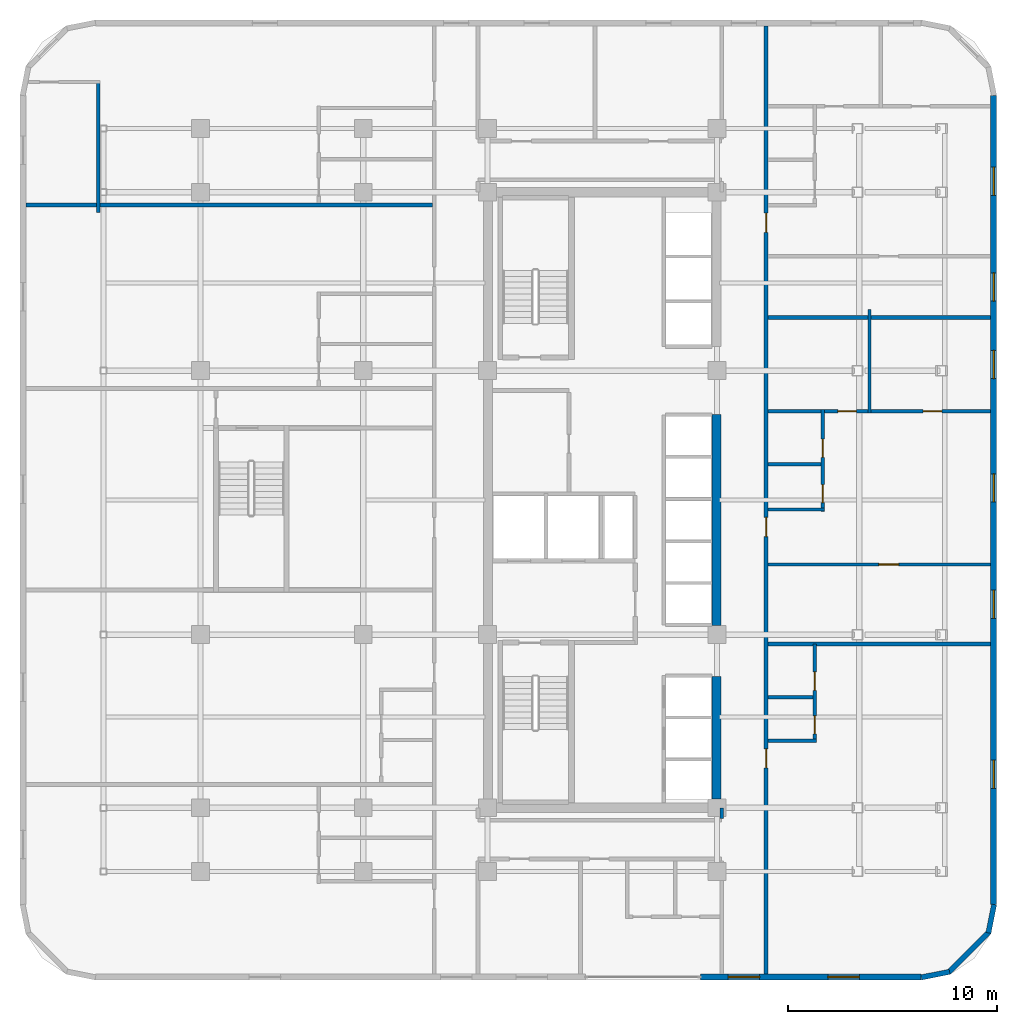
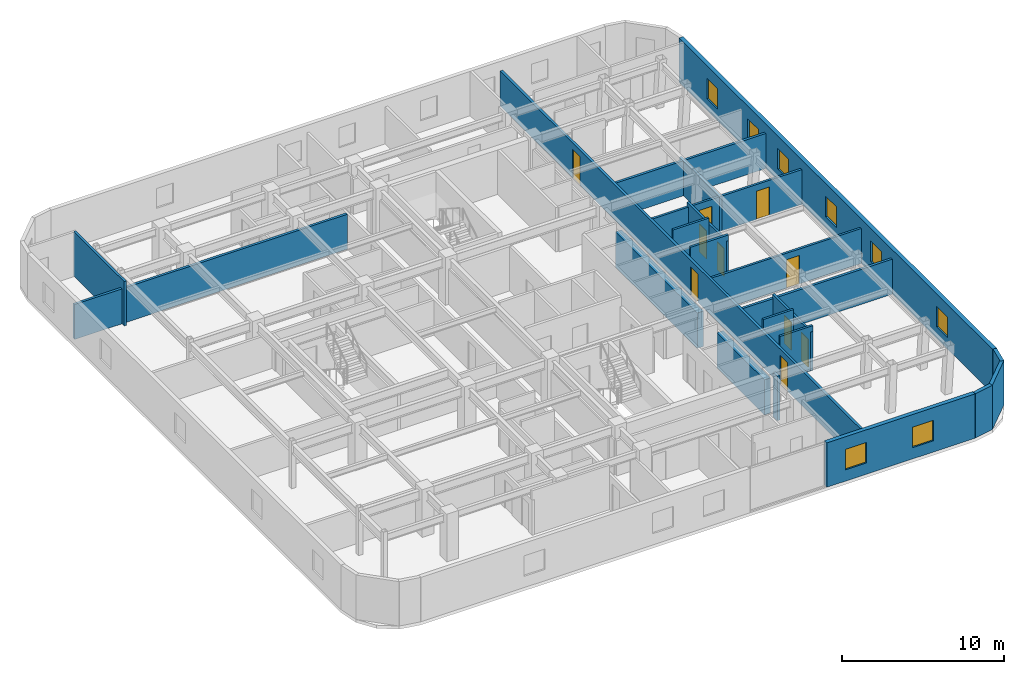
# One storey, part 10 of 13: 22 walls, 10 doors, 8 windows, 18 openings.
"""IFC4 building model written with IfcOpenShell, lengths in metres."""

import ifcopenshell
import ifcopenshell.guid

model = None  # the IFC model being written
_history = None  # IfcOwnerHistory: only IFC2X3 demands one
_inside = {}  # id of a spatial element -> (the spatial element, [elements in it])
_under = {}  # id of a project, library or spatial element -> (it, [spatial elements below it])
_declared = {}  # id of a project -> (the project, [libraries it declares])
_typed = {}  # id of a type object -> (the type object, [elements of that type])
_made_of = {}  # id of a material, layer set ... -> (it, [elements and type objects made of it])


def new_model(schema):
    """Start an empty IFC model of exactly this schema.

    Asked for "IFC4X3", IfcOpenShell would pick the latest addendum, in which some entities
    have other attributes; the version numbers below select the first issue.
    IFC2X3 requires an IfcOwnerHistory on every rooted entity: one is made here for all.
    """
    global model, _history
    if schema == "IFC4X3":
        model = ifcopenshell.file(schema_version=(4, 3, 0, 0))
    else:
        model = ifcopenshell.file(schema=schema)
    _inside.clear()
    _under.clear()
    _declared.clear()
    _typed.clear()
    _made_of.clear()
    _history = None
    if model.schema == "IFC2X3":
        org = make("IfcOrganization", Name="unknown")
        user = make(
            "IfcPersonAndOrganization",
            ThePerson=make("IfcPerson", FamilyName="unknown"),
            TheOrganization=org,
        )
        app = make(
            "IfcApplication",
            ApplicationDeveloper=org,
            Version="unknown",
            ApplicationFullName="unknown",
            ApplicationIdentifier="unknown",
        )
        _history = make(
            "IfcOwnerHistory",
            OwningUser=user,
            OwningApplication=app,
            ChangeAction="ADDED",
            CreationDate=0,
        )
    return model


def make(cls, **values):
    """One entity of the class cls with the attributes given. An attribute that is None is left unset."""
    return model.create_entity(
        cls, **{name: value for name, value in values.items() if value is not None}
    )


def rooted(cls, **values):
    """An entity with a GlobalId (a new one), such as an element, a storey or a relation."""
    return make(cls, GlobalId=ifcopenshell.guid.new(), OwnerHistory=_history, **values)


def si_unit(unit_type, name, prefix=None):
    """IfcSIUnit, for example si_unit("LENGTHUNIT", "METRE", prefix="MILLI")."""
    return make("IfcSIUnit", UnitType=unit_type, Prefix=prefix, Name=name)


def assignment(units):
    """IfcUnitAssignment: the units of a project."""
    return None if units is None else make("IfcUnitAssignment", Units=units)


def point(xyz):
    """IfcCartesianPoint."""
    return None if xyz is None else make("IfcCartesianPoint", Coordinates=xyz)


def direction(xyz):
    """IfcDirection."""
    return None if xyz is None else make("IfcDirection", DirectionRatios=xyz)


def frame(location, z_axis=None, x_axis=None):
    """IfcAxis2Placement3D, a coordinate frame: its origin and axes. An axis left out is left unset."""
    return make(
        "IfcAxis2Placement3D",
        Location=point(location),
        Axis=direction(z_axis),
        RefDirection=direction(x_axis),
    )


def frame_2d(location, x_axis=None):
    """IfcAxis2Placement2D, a coordinate frame in the plane: its origin and x axis."""
    return make(
        "IfcAxis2Placement2D", Location=point(location), RefDirection=direction(x_axis)
    )


def origin():
    """The frame at (0, 0, 0) with its axes left unset."""
    return frame((0.0, 0.0, 0.0))


def place(relative_to, where):
    """IfcLocalPlacement: puts the frame where relative to a parent placement (None: the world)."""
    return make(
        "IfcLocalPlacement", PlacementRelTo=relative_to, RelativePlacement=where
    )


def context(
    kind, dimensions, precision=None, world=None, true_north=None, identifier=None
):
    """IfcGeometricRepresentationContext, for example the 3D "Model" context."""
    return make(
        "IfcGeometricRepresentationContext",
        ContextIdentifier=identifier,
        ContextType=kind,
        CoordinateSpaceDimension=dimensions,
        Precision=precision,
        WorldCoordinateSystem=world,
        TrueNorth=true_north,
    )


def subcontext(parent, identifier, kind, view, scale=None):
    """IfcGeometricRepresentationSubContext, for example "Body" below "Model"."""
    return make(
        "IfcGeometricRepresentationSubContext",
        ContextIdentifier=identifier,
        ContextType=kind,
        ParentContext=parent,
        TargetScale=scale,
        TargetView=view,
    )


def project(units=None, contexts=None):
    """IfcProject with its units and contexts."""
    return rooted(
        "IfcProject",
        Name="project",
        RepresentationContexts=contexts,
        UnitsInContext=assignment(units),
    )


def spatial(cls, under=None, at=None, **own):
    """A site, building, storey or space (cls), placed at a placement, below another one or the project."""
    s = rooted(cls, ObjectPlacement=at, **own)
    if under is not None:
        _under.setdefault(under.id(), (under, []))[1].append(s)
    return s


def profile(cls, at=None, kind="AREA", **sizes):
    """A parametric profile (cls). Its sizes go by their IFC names, for example OverallWidth=200.0."""
    return make(cls, ProfileType=kind, Position=at, **sizes)


def rectangle(**sizes):
    """IfcRectangleProfileDef."""
    return profile("IfcRectangleProfileDef", **sizes)


def extrude(swept, where, along, depth):
    """IfcExtrudedAreaSolid: the profile swept, set in the frame where, extruded along a direction by depth."""
    return make(
        "IfcExtrudedAreaSolid",
        SweptArea=swept,
        Position=where,
        ExtrudedDirection=direction(along),
        Depth=depth,
    )


def shape(context_of_items, identifier, shape_type, items):
    """IfcShapeRepresentation: the items that make up one representation, for example the "Body"."""
    return make(
        "IfcShapeRepresentation",
        ContextOfItems=context_of_items,
        RepresentationIdentifier=identifier,
        RepresentationType=shape_type,
        Items=items,
    )


def material(Name=None, Category=None):
    """IfcMaterial."""
    return make("IfcMaterial", Name=Name, Category=Category)


def layer(
    of_material, thickness, ventilated=None, Name=None, Category=None, Priority=None
):
    """IfcMaterialLayer: one layer of a wall or slab, of a material (None: an air gap)."""
    return make(
        "IfcMaterialLayer",
        Material=of_material,
        LayerThickness=thickness,
        IsVentilated=ventilated,
        Name=Name,
        Category=Category,
        Priority=Priority,
    )


def layer_set(layers, Name=None):
    """IfcMaterialLayerSet."""
    return make("IfcMaterialLayerSet", MaterialLayers=layers, LayerSetName=Name)


def made_of(thing, what):
    """Note that an element or type object is made of a material, layer set ...; save() writes the relation."""
    if what is not None:
        _made_of.setdefault(what.id(), (what, []))[1].append(thing)
    return thing


def type_object(cls, material=None, **own):
    """A type object (cls), such as IfcWallType, which elements share."""
    return made_of(rooted(cls, **own), material)


def element(
    cls,
    number,
    at=None,
    inside=None,
    cuts=None,
    type_object=None,
    material=None,
    context=None,
    identifier="Body",
    shape_type=None,
    held_by="IfcProductDefinitionShape",
    body=None,
    shapes=None,
    **own,
):
    """One element of the class cls, such as IfcWall. Its Tag is "e" and its number.

    at: its placement. inside: the storey or other place that contains it. cuts: it is an
    opening in that element (IfcRelVoidsElement). A single representation is given by context,
    identifier, shape_type and body (its items); several are given by shapes. held_by: the class
    of the entity that holds the representations. save() writes the other relations.
    """
    e = rooted(cls, Tag="e%d" % number, ObjectPlacement=at, **own)
    if body is not None:
        shapes = [shape(context, identifier, shape_type, body)]
    if shapes is not None:
        e.Representation = make(held_by, Representations=shapes)
    if inside is not None:
        _inside.setdefault(inside.id(), (inside, []))[1].append(e)
    if cuts is not None:
        rooted(
            "IfcRelVoidsElement", RelatingBuildingElement=cuts, RelatedOpeningElement=e
        )
    if type_object is not None:
        _typed.setdefault(type_object.id(), (type_object, []))[1].append(e)
    return made_of(e, material)


def fill(opening, filler):
    """IfcRelFillsElement: the door or window that sits in an opening."""
    return rooted(
        "IfcRelFillsElement",
        RelatingOpeningElement=opening,
        RelatedBuildingElement=filler,
    )


def aggregate(whole, parts):
    """IfcRelAggregates: a whole, such as a stair, and the parts it consists of."""
    return rooted("IfcRelAggregates", RelatingObject=whole, RelatedObjects=parts)


def save(model, path):
    """Write the relations noted so far, then the file.

    IfcRelAggregates (storeys below a building ...), IfcRelContainedInSpatialStructure (elements
    in a storey), IfcRelDefinesByType, IfcRelAssociatesMaterial and IfcRelDeclares: one each for
    every whole, place, type object, material and project.
    """
    for whole, parts in _under.values():
        aggregate(whole, parts)
    for where, things in _inside.values():
        rooted(
            "IfcRelContainedInSpatialStructure",
            RelatedElements=things,
            RelatingStructure=where,
        )
    for kind, things in _typed.values():
        rooted("IfcRelDefinesByType", RelatedObjects=things, RelatingType=kind)
    for what, things in _made_of.values():
        rooted("IfcRelAssociatesMaterial", RelatedObjects=things, RelatingMaterial=what)
    for by, libraries in _declared.values():
        rooted("IfcRelDeclares", RelatingContext=by, RelatedDefinitions=libraries)
    model.write(path)


model = new_model("IFC4")

# Units and contexts
model_context = context("Model", 3, precision=1e-05, world=origin(), true_north=direction((0.0, 1.0)))
body_context = subcontext(model_context, "Body", "Model", "MODEL_VIEW")
ifc_project = project(units=[si_unit("LENGTHUNIT", "METRE"), si_unit("AREAUNIT", "SQUARE_METRE"), si_unit("VOLUMEUNIT", "CUBIC_METRE"), si_unit("PLANEANGLEUNIT", "RADIAN"), si_unit("MASSUNIT", "GRAM", prefix="KILO")], contexts=[model_context])

# Site, building, storey
site_placement = place(None, origin())
site = spatial("IfcSite", under=ifc_project, at=site_placement, CompositionType="ELEMENT")
building_placement = place(site_placement, origin())
building = spatial("IfcBuilding", under=site, at=building_placement, Name="Ochreholt Gables", CompositionType="ELEMENT")
storey_placement = place(building_placement, frame((0.0, 0.0, 56.39990234375)))
storey = spatial("IfcBuildingStorey", under=building, at=storey_placement, Name="L14", CompositionType="ELEMENT", Elevation=56.39990234375)

# Walls
ifc_material_1 = material(Name="Concrete 60 MPa", Category="concrete")
ifc_layer_1 = layer(ifc_material_1, 0.449951171875, Name="Concrete 60 MPa")
ifc_layer_set_1 = layer_set([ifc_layer_1], Name="Concrete 60 MPa")
wall_type_1 = type_object("IfcWallType", Name="WALL-CSW-450", PredefinedType="SHEAR", material=ifc_layer_set_1)
wall_1_placement = place(storey_placement, frame((35.175048828125, 9.675048828125, 0.0), z_axis=(0.0, 0.0, 1.0), x_axis=(0.0, 1.0, 0.0)))
element("IfcWall", 1, at=wall_1_placement, inside=storey, type_object=wall_type_1, Name="L14 Core South-East Shear Wall", PredefinedType="SHEAR", context=body_context, shape_type="SweptSolid", body=[
    extrude(rectangle(XDim=5.875, YDim=0.449951171875, at=frame_2d((2.9375, 0.0))), origin(), (0.0, 0.0, 1.0), 2.656982421875),
])
wall_2_placement = place(storey_placement, frame((35.175048828125, 17.97509765625, 0.0), z_axis=(0.0, 0.0, 1.0), x_axis=(0.0, 1.0, 0.0)))
element("IfcWall", 2, at=wall_2_placement, inside=storey, type_object=wall_type_1, Name="L14 Core Central-East Shear Wall", PredefinedType="SHEAR", context=body_context, shape_type="SweptSolid", body=[
    extrude(rectangle(XDim=10.125, YDim=0.449951171875, at=frame_2d((5.0625, 0.0))), origin(), (0.0, 0.0, 1.0), 2.656982421875),
])

# Wall, openings, windows
ifc_material_2 = material(Name="Precast concrete 40 MPa", Category="concrete")
ifc_layer_2 = layer(ifc_material_2, 0.2900390625, Name="Precast concrete 40 MPa")
ifc_layer_set_2 = layer_set([ifc_layer_2], Name="Precast concrete 40 MPa")
wall_type_2 = type_object("IfcWallType", Name="WALL-EXT-290", PredefinedType="SOLIDWALL", material=ifc_layer_set_2)
wall_3_placement = place(storey_placement, frame((34.39990234375, 1.14501953125, 0.0), z_axis=(0.0, 0.0, 1.0), x_axis=(1.0, 0.0, 0.0)))
wall_3 = element("IfcWall", 3, at=wall_3_placement, inside=storey, type_object=wall_type_2, Name="L14 South Facade Wall 2", PredefinedType="SOLIDWALL", context=body_context, shape_type="SweptSolid", body=[
    extrude(rectangle(XDim=10.580078125, YDim=0.2900390625, at=frame_2d((5.2900390625, 0.0))), origin(), (0.0, 0.0, 1.0), 3.35009765625),
])
opening_1_placement = place(wall_3_placement, frame((1.3349609375, 0.0, 0.85009765625)))
opening_1 = element("IfcOpeningElement", 4, at=opening_1_placement, cuts=wall_3, Name="Opening WN-2", PredefinedType="OPENING", context=body_context, shape_type="SweptSolid", body=[
    extrude(rectangle(XDim=1.5, YDim=1.550048828125, at=frame_2d((0.75, 0.77490234375))), frame((0.0, 0.155029296875, 0.0), z_axis=(0.0, -1.0, 0.0), x_axis=(1.0, 0.0, 0.0)), (0.0, 0.0, 1.0), 0.31005859375),
])
opening_2_placement = place(wall_3_placement, frame((6.114990234375, 0.0, 0.85009765625)))
opening_2 = element("IfcOpeningElement", 5, at=opening_2_placement, cuts=wall_3, Name="Opening WN-2", PredefinedType="OPENING", context=body_context, shape_type="SweptSolid", body=[
    extrude(rectangle(XDim=1.5, YDim=1.550048828125, at=frame_2d((0.75, 0.77490234375))), frame((0.0, 0.155029296875, 0.0), z_axis=(0.0, -1.0, 0.0), x_axis=(1.0, 0.0, 0.0)), (0.0, 0.0, 1.0), 0.31005859375),
])
ifc_material_3 = material(Name="Triple-Glazed Thermally Broken Aluminium Window", Category="aluminium")
window_type_1 = type_object("IfcWindowType", Name="WIN-RES-1500", PartitioningType="SINGLE_PANEL", PredefinedType="WINDOW", material=ifc_material_3)
window_1_placement = place(opening_1_placement, origin())
window_1 = element("IfcWindow", 6, at=window_1_placement, inside=storey, type_object=window_type_1, Name="L14 Window W-EXT-S2-L14-1", OverallHeight=1.550048828125, OverallWidth=1.5, PartitioningType="SINGLE_PANEL", PredefinedType="WINDOW", context=body_context, shape_type="SweptSolid", body=[
    extrude(rectangle(XDim=1.5, YDim=1.550048828125, at=frame_2d((0.75, 0.77490234375))), frame((0.0, 0.030029296875, 0.0), z_axis=(0.0, -1.0, 0.0), x_axis=(1.0, 0.0, 0.0)), (0.0, 0.0, 1.0), 0.06005859375),
])
fill(opening_1, window_1)
window_2_placement = place(opening_2_placement, origin())
window_2 = element("IfcWindow", 7, at=window_2_placement, inside=storey, type_object=window_type_1, Name="L14 Window W-EXT-S2-L14-2", OverallHeight=1.550048828125, OverallWidth=1.5, PartitioningType="SINGLE_PANEL", PredefinedType="WINDOW", context=body_context, shape_type="SweptSolid", body=[
    extrude(rectangle(XDim=1.5, YDim=1.550048828125, at=frame_2d((0.75, 0.77490234375))), frame((0.0, 0.030029296875, 0.0), z_axis=(0.0, -1.0, 0.0), x_axis=(1.0, 0.0, 0.0)), (0.0, 0.0, 1.0), 0.06005859375),
])
fill(opening_2, window_2)

wall_4_placement = place(storey_placement, frame((48.455078125, 4.6201171875, 0.0), z_axis=(0.0, 0.0, 1.0), x_axis=(0.0, 1.0, 0.0)))
wall_4 = element("IfcWall", 8, at=wall_4_placement, inside=storey, type_object=wall_type_2, Name="L14 East Exterior Wall", PredefinedType="SOLIDWALL", context=body_context, shape_type="SweptSolid", body=[
    extrude(rectangle(XDim=38.759765625, YDim=0.2900390625, at=frame_2d((19.3798828125, 0.0))), origin(), (0.0, 0.0, 1.0), 3.35009765625),
])
opening_3_placement = place(wall_4_placement, frame((5.56494140625, 0.0, 0.85009765625)))
opening_3 = element("IfcOpeningElement", 9, at=opening_3_placement, cuts=wall_4, Name="Opening WN-8", PredefinedType="OPENING", context=body_context, shape_type="SweptSolid", body=[
    extrude(rectangle(XDim=1.35009765625, YDim=1.550048828125, at=frame_2d((0.675048828125, 0.77490234375))), frame((0.0, 0.155029296875, 0.0), z_axis=(0.0, -1.0, 0.0), x_axis=(1.0, 0.0, 0.0)), (0.0, 0.0, 1.0), 0.31005859375),
])
opening_4_placement = place(wall_4_placement, frame((13.709228515625, 0.0, 0.85009765625)))
opening_4 = element("IfcOpeningElement", 10, at=opening_4_placement, cuts=wall_4, Name="Opening WN-8", PredefinedType="OPENING", context=body_context, shape_type="SweptSolid", body=[
    extrude(rectangle(XDim=1.35009765625, YDim=1.550048828125, at=frame_2d((0.675048828125, 0.77490234375))), frame((0.0, 0.155029296875, 0.0), z_axis=(0.0, -1.0, 0.0), x_axis=(1.0, 0.0, 0.0)), (0.0, 0.0, 1.0), 0.31005859375),
])
opening_5_placement = place(wall_4_placement, frame((19.2841796875, 0.0, 0.85009765625)))
opening_5 = element("IfcOpeningElement", 11, at=opening_5_placement, cuts=wall_4, Name="Opening WN-8", PredefinedType="OPENING", context=body_context, shape_type="SweptSolid", body=[
    extrude(rectangle(XDim=1.35009765625, YDim=1.550048828125, at=frame_2d((0.675048828125, 0.77490234375))), frame((0.0, 0.155029296875, 0.0), z_axis=(0.0, -1.0, 0.0), x_axis=(1.0, 0.0, 0.0)), (0.0, 0.0, 1.0), 0.31005859375),
])
opening_6_placement = place(wall_4_placement, frame((25.199951171875, 0.0, 0.85009765625)))
opening_6 = element("IfcOpeningElement", 12, at=opening_6_placement, cuts=wall_4, Name="Opening WN-8", PredefinedType="OPENING", context=body_context, shape_type="SweptSolid", body=[
    extrude(rectangle(XDim=1.35009765625, YDim=1.550048828125, at=frame_2d((0.675048828125, 0.77490234375))), frame((0.0, 0.155029296875, 0.0), z_axis=(0.0, -1.0, 0.0), x_axis=(1.0, 0.0, 0.0)), (0.0, 0.0, 1.0), 0.31005859375),
])
opening_7_placement = place(wall_4_placement, frame((28.914306640625, 0.0, 0.85009765625)))
opening_7 = element("IfcOpeningElement", 13, at=opening_7_placement, cuts=wall_4, Name="Opening WN-8", PredefinedType="OPENING", context=body_context, shape_type="SweptSolid", body=[
    extrude(rectangle(XDim=1.35009765625, YDim=1.550048828125, at=frame_2d((0.675048828125, 0.77490234375))), frame((0.0, 0.155029296875, 0.0), z_axis=(0.0, -1.0, 0.0), x_axis=(1.0, 0.0, 0.0)), (0.0, 0.0, 1.0), 0.31005859375),
])
opening_8_placement = place(wall_4_placement, frame((33.974609375, 0.0, 0.85009765625)))
opening_8 = element("IfcOpeningElement", 14, at=opening_8_placement, cuts=wall_4, Name="Opening WN-8", PredefinedType="OPENING", context=body_context, shape_type="SweptSolid", body=[
    extrude(rectangle(XDim=1.35009765625, YDim=1.550048828125, at=frame_2d((0.675048828125, 0.77490234375))), frame((0.0, 0.155029296875, 0.0), z_axis=(0.0, -1.0, 0.0), x_axis=(1.0, 0.0, 0.0)), (0.0, 0.0, 1.0), 0.31005859375),
])
window_type_2 = type_object("IfcWindowType", Name="WIN-RES-1350", PartitioningType="SINGLE_PANEL", PredefinedType="WINDOW", material=ifc_material_3)
window_3_placement = place(opening_3_placement, origin())
window_3 = element("IfcWindow", 15, at=window_3_placement, inside=storey, type_object=window_type_2, Name="L14 Window W-EXT-E-L14-1", OverallHeight=1.550048828125, OverallWidth=1.35009765625, PartitioningType="SINGLE_PANEL", PredefinedType="WINDOW", context=body_context, shape_type="SweptSolid", body=[
    extrude(rectangle(XDim=1.35009765625, YDim=1.550048828125, at=frame_2d((0.675048828125, 0.77490234375))), frame((0.0, 0.030029296875, 0.0), z_axis=(0.0, -1.0, 0.0), x_axis=(1.0, 0.0, 0.0)), (0.0, 0.0, 1.0), 0.06005859375),
])
fill(opening_3, window_3)
window_4_placement = place(opening_4_placement, origin())
window_4 = element("IfcWindow", 16, at=window_4_placement, inside=storey, type_object=window_type_2, Name="L14 Window W-EXT-E-L14-2", OverallHeight=1.550048828125, OverallWidth=1.35009765625, PartitioningType="SINGLE_PANEL", PredefinedType="WINDOW", context=body_context, shape_type="SweptSolid", body=[
    extrude(rectangle(XDim=1.35009765625, YDim=1.550048828125, at=frame_2d((0.675048828125, 0.77490234375))), frame((0.0, 0.030029296875, 0.0), z_axis=(0.0, -1.0, 0.0), x_axis=(1.0, 0.0, 0.0)), (0.0, 0.0, 1.0), 0.06005859375),
])
fill(opening_4, window_4)
window_5_placement = place(opening_5_placement, origin())
window_5 = element("IfcWindow", 17, at=window_5_placement, inside=storey, type_object=window_type_2, Name="L14 Window W-EXT-E-L14-3", OverallHeight=1.550048828125, OverallWidth=1.35009765625, PartitioningType="SINGLE_PANEL", PredefinedType="WINDOW", context=body_context, shape_type="SweptSolid", body=[
    extrude(rectangle(XDim=1.35009765625, YDim=1.550048828125, at=frame_2d((0.675048828125, 0.77490234375))), frame((0.0, 0.030029296875, 0.0), z_axis=(0.0, -1.0, 0.0), x_axis=(1.0, 0.0, 0.0)), (0.0, 0.0, 1.0), 0.06005859375),
])
fill(opening_5, window_5)
window_6_placement = place(opening_6_placement, origin())
window_6 = element("IfcWindow", 18, at=window_6_placement, inside=storey, type_object=window_type_2, Name="L14 Window W-EXT-E-L14-4", OverallHeight=1.550048828125, OverallWidth=1.35009765625, PartitioningType="SINGLE_PANEL", PredefinedType="WINDOW", context=body_context, shape_type="SweptSolid", body=[
    extrude(rectangle(XDim=1.35009765625, YDim=1.550048828125, at=frame_2d((0.675048828125, 0.77490234375))), frame((0.0, 0.030029296875, 0.0), z_axis=(0.0, -1.0, 0.0), x_axis=(1.0, 0.0, 0.0)), (0.0, 0.0, 1.0), 0.06005859375),
])
fill(opening_6, window_6)
window_7_placement = place(opening_7_placement, origin())
window_7 = element("IfcWindow", 19, at=window_7_placement, inside=storey, type_object=window_type_2, Name="L14 Window W-EXT-E-L14-5", OverallHeight=1.550048828125, OverallWidth=1.35009765625, PartitioningType="SINGLE_PANEL", PredefinedType="WINDOW", context=body_context, shape_type="SweptSolid", body=[
    extrude(rectangle(XDim=1.35009765625, YDim=1.550048828125, at=frame_2d((0.675048828125, 0.77490234375))), frame((0.0, 0.030029296875, 0.0), z_axis=(0.0, -1.0, 0.0), x_axis=(1.0, 0.0, 0.0)), (0.0, 0.0, 1.0), 0.06005859375),
])
fill(opening_7, window_7)
window_8_placement = place(opening_8_placement, origin())
window_8 = element("IfcWindow", 20, at=window_8_placement, inside=storey, type_object=window_type_2, Name="L14 Window W-EXT-E-L14-6", OverallHeight=1.550048828125, OverallWidth=1.35009765625, PartitioningType="SINGLE_PANEL", PredefinedType="WINDOW", context=body_context, shape_type="SweptSolid", body=[
    extrude(rectangle(XDim=1.35009765625, YDim=1.550048828125, at=frame_2d((0.675048828125, 0.77490234375))), frame((0.0, 0.030029296875, 0.0), z_axis=(0.0, -1.0, 0.0), x_axis=(1.0, 0.0, 0.0)), (0.0, 0.0, 1.0), 0.06005859375),
])
fill(opening_8, window_8)

# Walls
ifc_layer_3 = layer(ifc_material_2, 0.25, Name="Precast concrete 40 MPa")
ifc_layer_set_3 = layer_set([ifc_layer_3], Name="Precast concrete 40 MPa")
wall_type_3 = type_object("IfcWallType", Name="WALL-EXT-CNR", PredefinedType="SOLIDWALL", material=ifc_layer_set_3)
wall_5_placement = place(storey_placement, frame((44.9833984375, 1.124267578125, 0.0), z_axis=(0.0, 0.0, 1.0), x_axis=(0.980809899341, 0.19496651342, 0.0)))
element("IfcWall", 21, at=wall_5_placement, inside=storey, type_object=wall_type_3, Name="L14 Rounded Corner Wall SE-1", PredefinedType="SOLIDWALL", context=body_context, shape_type="SweptSolid", body=[
    extrude(rectangle(XDim=1.388671875, YDim=0.25, at=frame_2d((0.6943359375, 0.0))), origin(), (0.0, 0.0, 1.0), 3.35009765625),
])
wall_6_placement = place(storey_placement, frame((46.294921875, 1.367919921875, 0.0), z_axis=(0.0, 0.0, 1.0), x_axis=(0.707106781187, 0.707106781187, 0.0)))
element("IfcWall", 22, at=wall_6_placement, inside=storey, type_object=wall_type_3, Name="L14 Rounded Corner Wall SE-2", PredefinedType="SOLIDWALL", context=body_context, shape_type="SweptSolid", body=[
    extrude(rectangle(XDim=2.7392578125, YDim=0.25, at=frame_2d((1.36962890625, 0.0))), origin(), (0.0, 0.0, 1.0), 3.35009765625),
])
wall_7_placement = place(storey_placement, frame((48.205078125, 3.25439453125, 0.0), z_axis=(0.0, 0.0, 1.0), x_axis=(0.19496651342, 0.980809899341, 0.0)))
element("IfcWall", 23, at=wall_7_placement, inside=storey, type_object=wall_type_3, Name="L14 Rounded Corner Wall SE-3", PredefinedType="SOLIDWALL", context=body_context, shape_type="SweptSolid", body=[
    extrude(rectangle(XDim=1.388671875, YDim=0.25, at=frame_2d((0.6943359375, 0.0))), origin(), (0.0, 0.0, 1.0), 3.35009765625),
])

# Wall, openings, doors
ifc_material_4 = material(Name="Fire-Rated Gypsum Acoustic Partition", Category="gypsum")
ifc_layer_4 = layer(ifc_material_4, 0.179931640625, Name="Fire-Rated Gypsum Acoustic Partition")
ifc_layer_set_4 = layer_set([ifc_layer_4], Name="Fire-Rated Gypsum Acoustic Partition")
wall_type_4 = type_object("IfcWallType", Name="WALL-INT-CR180", PredefinedType="STANDARD", material=ifc_layer_set_4)
wall_8_placement = place(storey_placement, frame((37.550048828125, 1.2900390625, 0.0), z_axis=(0.0, 0.0, 1.0), x_axis=(0.0, 1.0, 0.0)))
wall_8 = element("IfcWall", 24, at=wall_8_placement, inside=storey, type_object=wall_type_4, Name="L14 Interior Wall WI-C1E-L14", PredefinedType="STANDARD", context=body_context, shape_type="SweptSolid", body=[
    extrude(rectangle(XDim=45.419921875, YDim=0.179931640625, at=frame_2d((22.7099609375, 0.0))), origin(), (0.0, 0.0, 1.0), 2.63916015625),
])
opening_9_placement = place(wall_8_placement, frame((9.8701171875, 0.0, 0.0)))
opening_9 = element("IfcOpeningElement", 25, at=opening_9_placement, cuts=wall_8, Name="Opening D-UN1", PredefinedType="OPENING", context=body_context, shape_type="SweptSolid", body=[
    extrude(rectangle(XDim=0.919921875, YDim=2.14990234375, at=frame_2d((0.4599609375, 1.074951171875))), frame((0.0, 0.099853515625, 0.0), z_axis=(0.0, -1.0, 0.0), x_axis=(1.0, 0.0, 0.0)), (0.0, 0.0, 1.0), 0.199951171875),
])
opening_10_placement = place(wall_8_placement, frame((20.952880859375, 0.0, 0.0)))
opening_10 = element("IfcOpeningElement", 26, at=opening_10_placement, cuts=wall_8, Name="Opening D-UN1", PredefinedType="OPENING", context=body_context, shape_type="SweptSolid", body=[
    extrude(rectangle(XDim=0.919921875, YDim=2.14990234375, at=frame_2d((0.4599609375, 1.074951171875))), frame((0.0, 0.099853515625, 0.0), z_axis=(0.0, -1.0, 0.0), x_axis=(1.0, 0.0, 0.0)), (0.0, 0.0, 1.0), 0.199951171875),
])
opening_11_placement = place(wall_8_placement, frame((35.534423828125, 0.0, 0.0)))
opening_11 = element("IfcOpeningElement", 27, at=opening_11_placement, cuts=wall_8, Name="Opening D-UN1", PredefinedType="OPENING", context=body_context, shape_type="SweptSolid", body=[
    extrude(rectangle(XDim=0.919921875, YDim=2.14990234375, at=frame_2d((0.4599609375, 1.074951171875))), frame((0.0, 0.099853515625, 0.0), z_axis=(0.0, -1.0, 0.0), x_axis=(1.0, 0.0, 0.0)), (0.0, 0.0, 1.0), 0.199951171875),
])
ifc_material_5 = material(Name="Engineered Oak Timber", Category="wood")
door_type_1 = type_object("IfcDoorType", Name="DR-INT-UNT920", OperationType="NOTDEFINED", PredefinedType="DOOR", material=ifc_material_5)
door_1_placement = place(opening_9_placement, origin())
door_1 = element("IfcDoor", 28, at=door_1_placement, inside=storey, type_object=door_type_1, Name="L14 Door D-U-L14E1-ENT", OperationType="SINGLE_SWING_RIGHT", OverallHeight=2.14990234375, OverallWidth=0.919921875, PredefinedType="DOOR", context=body_context, shape_type="SweptSolid", body=[
    extrude(rectangle(XDim=0.919921875, YDim=2.14990234375, at=frame_2d((0.4599609375, 1.074951171875))), frame((0.0, 0.02490234375, 0.0), z_axis=(0.0, -1.0, 0.0), x_axis=(1.0, 0.0, 0.0)), (0.0, 0.0, 1.0), 0.050048828125),
])
fill(opening_9, door_1)
door_2_placement = place(opening_10_placement, origin())
door_2 = element("IfcDoor", 29, at=door_2_placement, inside=storey, type_object=door_type_1, Name="L14 Door D-U-L14E2-ENT", OperationType="SINGLE_SWING_LEFT", OverallHeight=2.14990234375, OverallWidth=0.919921875, PredefinedType="DOOR", context=body_context, shape_type="SweptSolid", body=[
    extrude(rectangle(XDim=0.919921875, YDim=2.14990234375, at=frame_2d((0.4599609375, 1.074951171875))), frame((0.0, 0.02490234375, 0.0), z_axis=(0.0, -1.0, 0.0), x_axis=(1.0, 0.0, 0.0)), (0.0, 0.0, 1.0), 0.050048828125),
])
fill(opening_10, door_2)
door_3_placement = place(opening_11_placement, origin())
door_3 = element("IfcDoor", 30, at=door_3_placement, inside=storey, type_object=door_type_1, Name="L14 Door D-U-L14E3-ENT", OperationType="SINGLE_SWING_RIGHT", OverallHeight=2.14990234375, OverallWidth=0.919921875, PredefinedType="DOOR", context=body_context, shape_type="SweptSolid", body=[
    extrude(rectangle(XDim=0.919921875, YDim=2.14990234375, at=frame_2d((0.4599609375, 1.074951171875))), frame((0.0, 0.02490234375, 0.0), z_axis=(0.0, -1.0, 0.0), x_axis=(1.0, 0.0, 0.0)), (0.0, 0.0, 1.0), 0.050048828125),
])
fill(opening_11, door_3)

# Walls
wall_9_placement = place(storey_placement, frame((35.419921875, 8.739990234375, 0.0), z_axis=(0.0, 0.0, 1.0), x_axis=(0.0, 1.0, 0.0)))
element("IfcWall", 31, at=wall_9_placement, inside=storey, type_object=wall_type_4, Name="L14 Interior Wall WI-C1ESW2-L14", PredefinedType="STANDARD", context=body_context, shape_type="SweptSolid", body=[
    extrude(rectangle(XDim=0.510009765625, YDim=0.179931640625, at=frame_2d((0.2548828125, 0.0))), origin(), (0.0, 0.0, 1.0), 3.35009765625),
])
ifc_material_6 = material(Name="Double-Stud Acoustic Demising Wall", Category="gypsum")
ifc_layer_5 = layer(ifc_material_6, 0.179931640625, Name="Double-Stud Acoustic Demising Wall")
ifc_layer_set_5 = layer_set([ifc_layer_5], Name="Double-Stud Acoustic Demising Wall")
wall_type_5 = type_object("IfcWallType", Name="WALL-INT-DM180", PredefinedType="PARTITIONING", material=ifc_layer_set_5)
for number, where, z_axis, x_axis, name in (
    (32, (37.639892578125, 17.10009765625, 0.0), (0.0, 0.0, 1.0), (1.0, 0.0, 0.0), "L14 Interior Wall WI-UDE2-L14"),
    (33, (37.639892578125, 32.739990234375, 0.0), (0.0, 0.0, 1.0), (1.0, 0.0, 0.0), "L14 Interior Wall WI-UDE3-L14"),
):
    element("IfcWall", number, at=place(storey_placement, frame(where, z_axis=z_axis, x_axis=x_axis)), inside=storey, type_object=wall_type_5, Name=name, PredefinedType="PARTITIONING", context=body_context, shape_type="SweptSolid", body=[
        extrude(rectangle(XDim=10.670166015625, YDim=0.179931640625, at=frame_2d((5.3349609375, 0.0))), origin(), (0.0, 0.0, 1.0), 2.63916015625),
    ])
wall_10_placement = place(storey_placement, frame((2.090087890625, 38.139892578125, 0.0), z_axis=(0.0, 0.0, 1.0), x_axis=(1.0, 0.0, 0.0)))
element("IfcWall", 34, at=wall_10_placement, inside=storey, type_object=wall_type_5, Name="L14 Interior Wall WI-UDWN1-L14", PredefinedType="PARTITIONING", context=body_context, shape_type="SweptSolid", body=[
    extrude(rectangle(XDim=19.469970703125, YDim=0.179931640625, at=frame_2d((9.73486328125, 0.0))), origin(), (0.0, 0.0, 1.0), 2.63916015625),
])
ifc_material_7 = material(Name="Moisture-Resistant Plumbing Chase Wall", Category="gypsum")
ifc_layer_6 = layer(ifc_material_7, 0.159912109375, Name="Moisture-Resistant Plumbing Chase Wall")
ifc_layer_set_6 = layer_set([ifc_layer_6], Name="Moisture-Resistant Plumbing Chase Wall")
wall_type_6 = type_object("IfcWallType", Name="WALL-INT-PL160", PredefinedType="PLUMBINGWALL", material=ifc_layer_set_6)
wall_11_placement = place(storey_placement, frame((37.639892578125, 12.4599609375, 0.0), z_axis=(0.0, 0.0, 1.0), x_axis=(1.0, 0.0, 0.0)))
element("IfcWall", 35, at=wall_11_placement, inside=storey, type_object=wall_type_6, Name="L14 Interior Wall WU-L14E1-WYS", PredefinedType="PLUMBINGWALL", context=body_context, shape_type="SweptSolid", body=[
    extrude(rectangle(XDim=2.330078125, YDim=0.159912109375, at=frame_2d((1.1650390625, 0.0))), origin(), (0.0, 0.0, 1.0), 3.35009765625),
])

# Wall, openings, doors
wall_12_placement = place(storey_placement, frame((39.889892578125, 12.3701171875, 0.0), z_axis=(0.0, 0.0, 1.0), x_axis=(0.0, 1.0, 0.0)))
wall_12 = element("IfcWall", 36, at=wall_12_placement, inside=storey, type_object=wall_type_6, Name="L14 Interior Wall WU-L14E1-WX", PredefinedType="PLUMBINGWALL", context=body_context, shape_type="SweptSolid", body=[
    extrude(rectangle(XDim=4.72998046875, YDim=0.159912109375, at=frame_2d((2.364990234375, 0.0))), origin(), (0.0, 0.0, 1.0), 2.922119140625),
])
opening_12_placement = place(wall_12_placement, frame((0.419921875, 0.0, 0.0)))
opening_12 = element("IfcOpeningElement", 37, at=opening_12_placement, cuts=wall_12, Name="Opening D-BT1", PredefinedType="OPENING", context=body_context, shape_type="SweptSolid", body=[
    extrude(rectangle(XDim=0.860107421875, YDim=2.1201171875, at=frame_2d((0.43017578125, 1.06005859375))), frame((0.0, 0.08984375, 0.0), z_axis=(0.0, -1.0, 0.0), x_axis=(1.0, 0.0, 0.0)), (0.0, 0.0, 1.0), 0.179931640625),
])
opening_13_placement = place(wall_12_placement, frame((2.512939453125, 0.0, 0.0)))
opening_13 = element("IfcOpeningElement", 38, at=opening_13_placement, cuts=wall_12, Name="Opening D-GN2", PredefinedType="OPENING", context=body_context, shape_type="SweptSolid", body=[
    extrude(rectangle(XDim=0.8798828125, YDim=2.1201171875, at=frame_2d((0.43994140625, 1.06005859375))), frame((0.0, 0.08984375, 0.0), z_axis=(0.0, -1.0, 0.0), x_axis=(1.0, 0.0, 0.0)), (0.0, 0.0, 1.0), 0.179931640625),
])
door_type_2 = type_object("IfcDoorType", Name="DR-INT-BTH860", OperationType="NOTDEFINED", PredefinedType="DOOR", material=ifc_material_5)
door_4_placement = place(opening_12_placement, origin())
door_4 = element("IfcDoor", 39, at=door_4_placement, inside=storey, type_object=door_type_2, Name="L14 Door D-U-L14E1-BTH", OperationType="SINGLE_SWING_LEFT", OverallHeight=2.1201171875, OverallWidth=0.860107421875, PredefinedType="DOOR", context=body_context, shape_type="SweptSolid", body=[
    extrude(rectangle(XDim=0.860107421875, YDim=2.1201171875, at=frame_2d((0.43017578125, 1.06005859375))), frame((0.0, 0.02490234375, 0.0), z_axis=(0.0, -1.0, 0.0), x_axis=(1.0, 0.0, 0.0)), (0.0, 0.0, 1.0), 0.050048828125),
])
fill(opening_12, door_4)
door_type_3 = type_object("IfcDoorType", Name="DR-INT-GEN880", OperationType="NOTDEFINED", PredefinedType="DOOR", material=ifc_material_5)
door_5_placement = place(opening_13_placement, origin())
door_5 = element("IfcDoor", 40, at=door_5_placement, inside=storey, type_object=door_type_3, Name="L14 Door D-U-L14E1-KIT", OperationType="SINGLE_SWING_RIGHT", OverallHeight=2.1201171875, OverallWidth=0.8798828125, PredefinedType="DOOR", context=body_context, shape_type="SweptSolid", body=[
    extrude(rectangle(XDim=0.8798828125, YDim=2.1201171875, at=frame_2d((0.43994140625, 1.06005859375))), frame((0.0, 0.02490234375, 0.0), z_axis=(0.0, -1.0, 0.0), x_axis=(1.0, 0.0, 0.0)), (0.0, 0.0, 1.0), 0.050048828125),
])
fill(opening_13, door_5)

# Walls
wall_13_placement = place(storey_placement, frame((37.639892578125, 14.552978515625, 0.0), z_axis=(0.0, 0.0, 1.0), x_axis=(1.0, 0.0, 0.0)))
element("IfcWall", 41, at=wall_13_placement, inside=storey, type_object=wall_type_6, Name="L14 Interior Wall WU-L14E1-WM", PredefinedType="PLUMBINGWALL", context=body_context, shape_type="SweptSolid", body=[
    extrude(rectangle(XDim=2.170166015625, YDim=0.159912109375, at=frame_2d((1.0849609375, 0.0))), origin(), (0.0, 0.0, 1.0), 3.35009765625),
])
wall_14_placement = place(storey_placement, frame((37.639892578125, 23.54296875, 0.0), z_axis=(0.0, 0.0, 1.0), x_axis=(1.0, 0.0, 0.0)))
element("IfcWall", 42, at=wall_14_placement, inside=storey, type_object=wall_type_6, Name="L14 Interior Wall WU-L14E2-FYS", PredefinedType="PLUMBINGWALL", context=body_context, shape_type="SweptSolid", body=[
    extrude(rectangle(XDim=2.712158203125, YDim=0.159912109375, at=frame_2d((1.35595703125, 0.0))), origin(), (0.0, 0.0, 1.0), 3.35009765625),
])

# Wall, openings, doors
wall_15_placement = place(storey_placement, frame((40.27197265625, 23.452880859375, 0.0), z_axis=(0.0, 0.0, 1.0), x_axis=(0.0, 1.0, 0.0)))
wall_15 = element("IfcWall", 43, at=wall_15_placement, inside=storey, type_object=wall_type_6, Name="L14 Interior Wall WU-L14E2-WX", PredefinedType="PLUMBINGWALL", context=body_context, shape_type="SweptSolid", body=[
    extrude(rectangle(XDim=4.88720703125, YDim=0.159912109375, at=frame_2d((2.443603515625, 0.0))), origin(), (0.0, 0.0, 1.0), 2.922119140625),
])
opening_14_placement = place(wall_15_placement, frame((0.419921875, 0.0, 0.0)))
opening_14 = element("IfcOpeningElement", 44, at=opening_14_placement, cuts=wall_15, Name="Opening D-BT1", PredefinedType="OPENING", context=body_context, shape_type="SweptSolid", body=[
    extrude(rectangle(XDim=0.860107421875, YDim=2.1201171875, at=frame_2d((0.43017578125, 1.06005859375))), frame((0.0, 0.08984375, 0.0), z_axis=(0.0, -1.0, 0.0), x_axis=(1.0, 0.0, 0.0)), (0.0, 0.0, 1.0), 0.179931640625),
])
opening_15_placement = place(wall_15_placement, frame((2.585205078125, 0.0, 0.0)))
opening_15 = element("IfcOpeningElement", 45, at=opening_15_placement, cuts=wall_15, Name="Opening D-GN2", PredefinedType="OPENING", context=body_context, shape_type="SweptSolid", body=[
    extrude(rectangle(XDim=0.8798828125, YDim=2.1201171875, at=frame_2d((0.43994140625, 1.06005859375))), frame((0.0, 0.08984375, 0.0), z_axis=(0.0, -1.0, 0.0), x_axis=(1.0, 0.0, 0.0)), (0.0, 0.0, 1.0), 0.179931640625),
])
door_6_placement = place(opening_14_placement, origin())
door_6 = element("IfcDoor", 46, at=door_6_placement, inside=storey, type_object=door_type_2, Name="L14 Door D-U-L14E2-BTH", OperationType="SINGLE_SWING_RIGHT", OverallHeight=2.1201171875, OverallWidth=0.860107421875, PredefinedType="DOOR", context=body_context, shape_type="SweptSolid", body=[
    extrude(rectangle(XDim=0.860107421875, YDim=2.1201171875, at=frame_2d((0.43017578125, 1.06005859375))), frame((0.0, 0.02490234375, 0.0), z_axis=(0.0, -1.0, 0.0), x_axis=(1.0, 0.0, 0.0)), (0.0, 0.0, 1.0), 0.050048828125),
])
fill(opening_14, door_6)
door_7_placement = place(opening_15_placement, origin())
door_7 = element("IfcDoor", 47, at=door_7_placement, inside=storey, type_object=door_type_3, Name="L14 Door D-U-L14E2-KIT", OperationType="SINGLE_SWING_LEFT", OverallHeight=2.1201171875, OverallWidth=0.8798828125, PredefinedType="DOOR", context=body_context, shape_type="SweptSolid", body=[
    extrude(rectangle(XDim=0.8798828125, YDim=2.1201171875, at=frame_2d((0.43994140625, 1.06005859375))), frame((0.0, 0.02490234375, 0.0), z_axis=(0.0, -1.0, 0.0), x_axis=(1.0, 0.0, 0.0)), (0.0, 0.0, 1.0), 0.050048828125),
])
fill(opening_15, door_7)

# Wall
wall_16_placement = place(storey_placement, frame((37.639892578125, 25.708251953125, 0.0), z_axis=(0.0, 0.0, 1.0), x_axis=(1.0, 0.0, 0.0)))
element("IfcWall", 48, at=wall_16_placement, inside=storey, type_object=wall_type_6, Name="L14 Interior Wall WU-L14E2-WK", PredefinedType="PLUMBINGWALL", context=body_context, shape_type="SweptSolid", body=[
    extrude(rectangle(XDim=2.552001953125, YDim=0.159912109375, at=frame_2d((1.27587890625, 0.0))), origin(), (0.0, 0.0, 1.0), 3.35009765625),
])

# Wall, openings, doors
ifc_material_8 = material(Name="Gypsum Acoustic Stud Partition", Category="gypsum")
ifc_layer_7 = layer(ifc_material_8, 0.159912109375, Name="Gypsum Acoustic Stud Partition")
ifc_layer_set_7 = layer_set([ifc_layer_7], Name="Gypsum Acoustic Stud Partition")
wall_type_7 = type_object("IfcWallType", Name="WALL-INT-PT160", PredefinedType="PARTITIONING", material=ifc_layer_set_7)
wall_17_placement = place(storey_placement, frame((37.639892578125, 28.25, 0.0), z_axis=(0.0, 0.0, 1.0), x_axis=(1.0, 0.0, 0.0)))
wall_17 = element("IfcWall", 49, at=wall_17_placement, inside=storey, type_object=wall_type_7, Name="L14 Interior Wall WU-L14E2-MN", PredefinedType="PARTITIONING", context=body_context, shape_type="SweptSolid", body=[
    extrude(rectangle(XDim=10.670166015625, YDim=0.159912109375, at=frame_2d((5.3349609375, 0.0))), origin(), (0.0, 0.0, 1.0), 2.63916015625),
])
opening_16_placement = place(wall_17_placement, frame((3.353271484375, 0.0, 0.0)))
opening_16 = element("IfcOpeningElement", 50, at=opening_16_placement, cuts=wall_17, Name="Opening D-GN2", PredefinedType="OPENING", context=body_context, shape_type="SweptSolid", body=[
    extrude(rectangle(XDim=0.8798828125, YDim=2.1201171875, at=frame_2d((0.43994140625, 1.06005859375))), frame((0.0, 0.08984375, 0.0), z_axis=(0.0, -1.0, 0.0), x_axis=(1.0, 0.0, 0.0)), (0.0, 0.0, 1.0), 0.179931640625),
])
opening_17_placement = place(wall_17_placement, frame((7.43212890625, 0.0, 0.0)))
opening_17 = element("IfcOpeningElement", 51, at=opening_17_placement, cuts=wall_17, Name="Opening D-BD1", PredefinedType="OPENING", context=body_context, shape_type="SweptSolid", body=[
    extrude(rectangle(XDim=0.89990234375, YDim=2.139892578125, at=frame_2d((0.449951171875, 1.06982421875))), frame((0.0, 0.08984375, 0.0), z_axis=(0.0, -1.0, 0.0), x_axis=(1.0, 0.0, 0.0)), (0.0, 0.0, 1.0), 0.179931640625),
])
door_type_4 = type_object("IfcDoorType", Name="DR-INT-BED900", OperationType="NOTDEFINED", PredefinedType="DOOR", material=ifc_material_5)
door_8_placement = place(opening_17_placement, origin())
door_8 = element("IfcDoor", 52, at=door_8_placement, inside=storey, type_object=door_type_4, Name="L14 Door D-U-L14E2-BD1", OperationType="SINGLE_SWING_RIGHT", OverallHeight=2.139892578125, OverallWidth=0.89990234375, PredefinedType="DOOR", context=body_context, shape_type="SweptSolid", body=[
    extrude(rectangle(XDim=0.89990234375, YDim=2.139892578125, at=frame_2d((0.449951171875, 1.06982421875))), frame((0.0, 0.02490234375, 0.0), z_axis=(0.0, -1.0, 0.0), x_axis=(1.0, 0.0, 0.0)), (0.0, 0.0, 1.0), 0.050048828125),
])
fill(opening_17, door_8)
door_9_placement = place(opening_16_placement, origin())
door_9 = element("IfcDoor", 53, at=door_9_placement, inside=storey, type_object=door_type_3, Name="L14 Door D-U-L14E2-STD", OperationType="SINGLE_SWING_LEFT", OverallHeight=2.1201171875, OverallWidth=0.8798828125, PredefinedType="DOOR", context=body_context, shape_type="SweptSolid", body=[
    extrude(rectangle(XDim=0.8798828125, YDim=2.1201171875, at=frame_2d((0.43994140625, 1.06005859375))), frame((0.0, 0.02490234375, 0.0), z_axis=(0.0, -1.0, 0.0), x_axis=(1.0, 0.0, 0.0)), (0.0, 0.0, 1.0), 0.050048828125),
])
fill(opening_16, door_9)

# Wall, opening, door
wall_18_placement = place(storey_placement, frame((37.639892578125, 20.908447265625, 0.0), z_axis=(0.0, 0.0, 1.0), x_axis=(1.0, 0.0, 0.0)))
wall_18 = element("IfcWall", 54, at=wall_18_placement, inside=storey, type_object=wall_type_7, Name="L14 Interior Wall WU-L14E2-DNW", PredefinedType="PARTITIONING", context=body_context, shape_type="SweptSolid", body=[
    extrude(rectangle(XDim=10.670166015625, YDim=0.159912109375, at=frame_2d((5.3349609375, 0.0))), origin(), (0.0, 0.0, 1.0), 2.63916015625),
])
opening_18_placement = place(wall_18_placement, frame((5.31494140625, 0.0, 0.0)))
opening_18 = element("IfcOpeningElement", 55, at=opening_18_placement, cuts=wall_18, Name="Opening D-GN1", PredefinedType="OPENING", context=body_context, shape_type="SweptSolid", body=[
    extrude(rectangle(XDim=0.949951171875, YDim=2.14990234375, at=frame_2d((0.47509765625, 1.074951171875))), frame((0.0, 0.08984375, 0.0), z_axis=(0.0, -1.0, 0.0), x_axis=(1.0, 0.0, 0.0)), (0.0, 0.0, 1.0), 0.179931640625),
])
door_type_5 = type_object("IfcDoorType", Name="DR-INT-GEN950", OperationType="NOTDEFINED", PredefinedType="DOOR", material=ifc_material_5)
door_10_placement = place(opening_18_placement, origin())
door_10 = element("IfcDoor", 56, at=door_10_placement, inside=storey, type_object=door_type_5, Name="L14 Door D-U-L14E2-DIN", OperationType="SINGLE_SWING_RIGHT", OverallHeight=2.14990234375, OverallWidth=0.949951171875, PredefinedType="DOOR", context=body_context, shape_type="SweptSolid", body=[
    extrude(rectangle(XDim=0.949951171875, YDim=2.14990234375, at=frame_2d((0.47509765625, 1.074951171875))), frame((0.0, 0.02490234375, 0.0), z_axis=(0.0, -1.0, 0.0), x_axis=(1.0, 0.0, 0.0)), (0.0, 0.0, 1.0), 0.050048828125),
])
fill(opening_18, door_10)

# Walls
wall_19_placement = place(storey_placement, frame((42.50439453125, 28.169921875, 0.0), z_axis=(0.0, 0.0, 1.0), x_axis=(0.0, 1.0, 0.0)))
element("IfcWall", 57, at=wall_19_placement, inside=storey, type_object=wall_type_7, Name="L14 Interior Wall WU-L14E2-BSD", PredefinedType="PARTITIONING", context=body_context, shape_type="SweptSolid", body=[
    extrude(rectangle(XDim=4.9599609375, YDim=0.159912109375, at=frame_2d((2.47998046875, 0.0))), origin(), (0.0, 0.0, 1.0), 2.63916015625),
])
wall_20_placement = place(storey_placement, frame((5.550048828125, 37.780029296875, 0.0), z_axis=(0.0, 0.0, 1.0), x_axis=(0.0, 1.0, 0.0)))
element("IfcWall", 58, at=wall_20_placement, inside=storey, type_object=wall_type_7, Name="L14 Interior Wall WU-L14W4-STW", PredefinedType="PARTITIONING", context=body_context, shape_type="SweptSolid", body=[
    extrude(rectangle(XDim=6.25, YDim=0.159912109375, at=frame_2d((3.125, 0.0))), origin(), (0.0, 0.0, 1.0), 3.35009765625),
])

save(model, "model.ifc")
